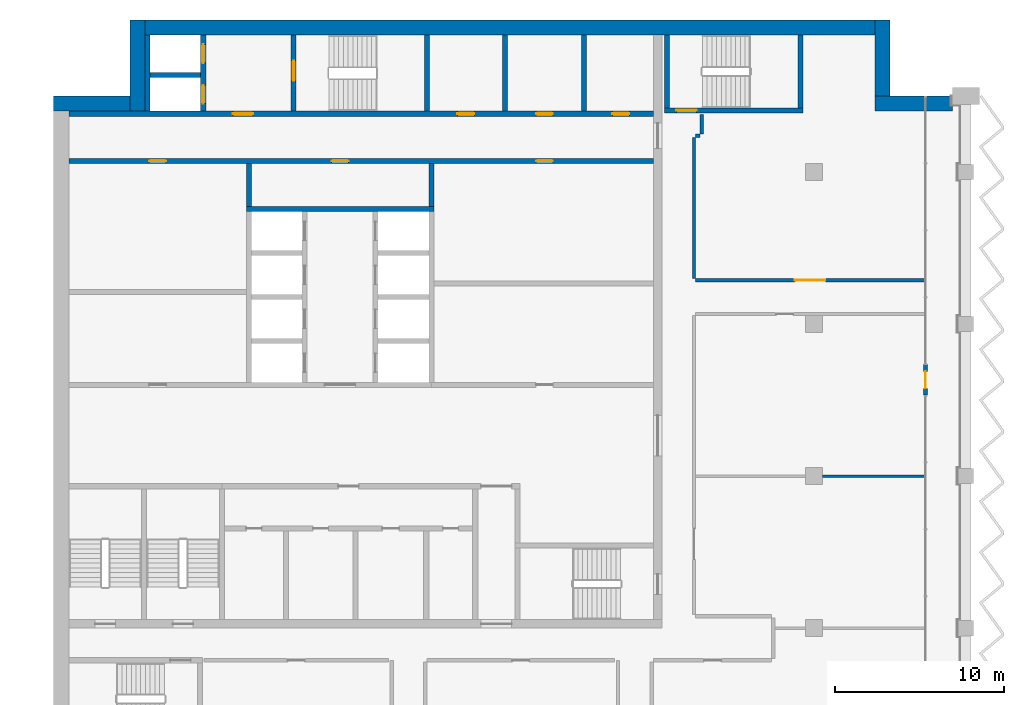
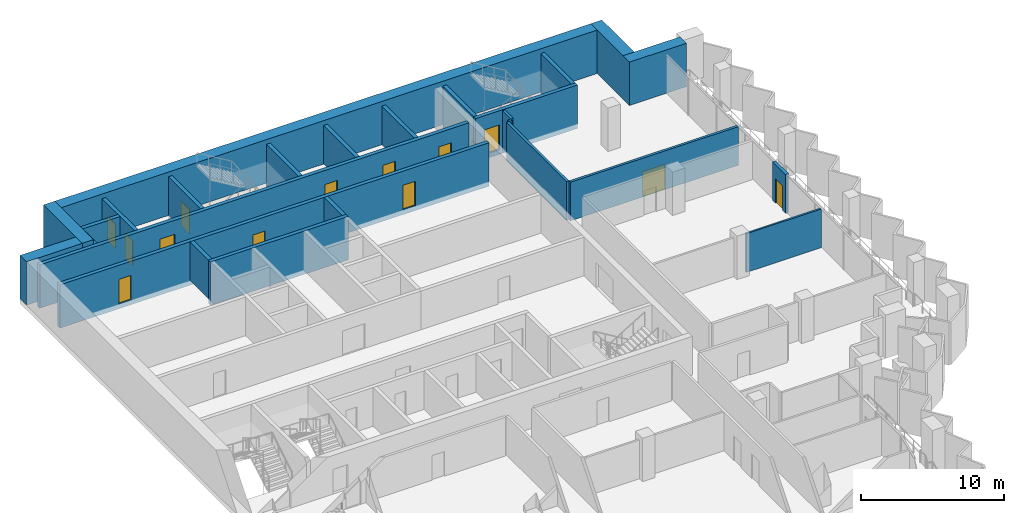
# One storey, part 10 of 16: 26 walls, 13 doors, 13 openings.
"""IFC4 building model written with IfcOpenShell, lengths in metres."""

from ifc_helpers import new_model, si_unit, direction, frame, frame_2d, origin, place, context, subcontext, project, spatial, rectangle, extrude, material, layer, layer_set, type_object, element, fill, save


model = new_model("IFC4")

# Units and contexts
model_context = context("Model", 3, precision=1e-05, world=origin(), true_north=direction((0.0, 1.0)))
body_context = subcontext(model_context, "Body", "Model", "MODEL_VIEW")
ifc_project = project(units=[si_unit("LENGTHUNIT", "METRE"), si_unit("AREAUNIT", "SQUARE_METRE"), si_unit("VOLUMEUNIT", "CUBIC_METRE"), si_unit("PLANEANGLEUNIT", "RADIAN"), si_unit("MASSUNIT", "GRAM", prefix="KILO")], contexts=[model_context])

# Site, building, storey
site_placement = place(None, origin())
site = spatial("IfcSite", under=ifc_project, at=site_placement, CompositionType="ELEMENT")
building_placement = place(site_placement, origin())
building = spatial("IfcBuilding", under=site, at=building_placement, Name="Hunhe Ridgeline Campus", CompositionType="ELEMENT")
storey_placement = place(building_placement, frame((0.0, 0.0, 254.0)))
storey = spatial("IfcBuildingStorey", under=building, at=storey_placement, Name="L65", CompositionType="ELEMENT", Elevation=254.0)

# Walls
ifc_material_1 = material(Name="Masonry concrete blockwork", Category="masonry")
ifc_layer_1 = layer(ifc_material_1, 0.300048828125)
ifc_layer_set_1 = layer_set([ifc_layer_1], Name="Core room partition 300 concrete block")
wall_type_1 = type_object("IfcWallType", Name="Core room partition 300 concrete block", PredefinedType="PARTITIONING", material=ifc_layer_set_1)
for number, where, z_axis, x_axis, name in (
    (1, (11.550048828125, 87.949951171875, 0.0), (0.0, 0.0, 1.0), (0.0, 1.0, 0.0), "L65 core partition 31"),
    (2, (22.35009765625, 87.949951171875, 0.0), (0.0, 0.0, 1.0), (0.0, 1.0, 0.0), "L65 core partition 41"),
):
    element("IfcWall", number, at=place(storey_placement, frame(where, z_axis=z_axis, x_axis=x_axis)), inside=storey, type_object=wall_type_1, Name=name, PredefinedType="PARTITIONING", context=body_context, shape_type="SweptSolid", body=[
        extrude(rectangle(XDim=2.550048828125, YDim=0.300048828125, at=frame_2d((1.27490234375, 0.0))), origin(), (0.0, 0.0, 1.0), 3.300048828125),
    ])
for number, where, z_axis, x_axis, name in (
    (3, (26.699951171875, 93.60009765625, 0.0), (0.0, 0.0, 1.0), (0.0, 1.0, 0.0), "L65 core partition 44"),
    (4, (31.39990234375, 93.60009765625, 0.0), (0.0, 0.0, 1.0), (0.0, 1.0, 0.0), "L65 core partition 47"),
):
    element("IfcWall", number, at=place(storey_placement, frame(where, z_axis=z_axis, x_axis=x_axis)), inside=storey, type_object=wall_type_1, Name=name, PredefinedType="PARTITIONING", context=body_context, shape_type="SweptSolid", body=[
        extrude(rectangle(XDim=4.5, YDim=0.300048828125, at=frame_2d((2.25, 0.0))), origin(), (0.0, 0.0, 1.0), 3.300048828125),
    ])

# Wall, opening, door
ifc_material_2 = material(Name="Gypsum board partition")
ifc_layer_2 = layer(ifc_material_2, 0.199951171875)
ifc_layer_set_2 = layer_set([ifc_layer_2], Name="Corridor partition 200 gypsum board on steel studs")
wall_type_2 = type_object("IfcWallType", Name="Corridor partition 200 gypsum board on steel studs", PredefinedType="PARTITIONING", material=ifc_layer_set_2)
wall_1_placement = place(storey_placement, frame((38.0, 83.60009765625, 0.0), z_axis=(0.0, 0.0, 1.0), x_axis=(1.0, 0.0, 0.0)))
wall_1 = element("IfcWall", 5, at=wall_1_placement, inside=storey, type_object=wall_type_2, Name="F-L65-wall-030", PredefinedType="PARTITIONING", context=body_context, shape_type="SweptSolid", body=[
    extrude(rectangle(XDim=13.544921875, YDim=0.199951171875, at=frame_2d((6.7724609375, 0.0))), origin(), (0.0, 0.0, 1.0), 3.300048828125),
])
opening_1_placement = place(wall_1_placement, frame((5.87255859375, 0.0, 0.0)))
opening_1 = element("IfcOpeningElement", 6, at=opening_1_placement, cuts=wall_1, Name="Opening RD2-020", PredefinedType="OPENING", context=body_context, shape_type="SweptSolid", body=[
    extrude(rectangle(XDim=1.800048828125, YDim=2.10009765625, at=frame_2d((0.89990234375, 1.050048828125))), frame((0.0, 0.10009765625, 0.0), z_axis=(0.0, -1.0, 0.0), x_axis=(1.0, 0.0, 0.0)), (0.0, 0.0, 1.0), 0.199951171875),
])
ifc_material_3 = material(Name="Timber door leaf", Category="wood")
door_type_1 = type_object("IfcDoorType", Name="Double fire door 1800x2100 timber FD60", OperationType="DOUBLE_DOOR_SINGLE_SWING", PredefinedType="DOOR", material=ifc_material_3)
door_1_placement = place(opening_1_placement, origin())
door_1 = element("IfcDoor", 7, at=door_1_placement, inside=storey, type_object=door_type_1, Name="F-L65-door-020", OperationType="DOUBLE_DOOR_SINGLE_SWING", OverallHeight=2.10009765625, OverallWidth=1.800048828125, PredefinedType="DOOR", context=body_context, shape_type="SweptSolid", body=[
    extrude(rectangle(XDim=1.800048828125, YDim=2.10009765625, at=frame_2d((0.89990234375, 1.050048828125))), frame((0.0, 0.02490234375, 0.0), z_axis=(0.0, -1.0, 0.0), x_axis=(1.0, 0.0, 0.0)), (0.0, 0.0, 1.0), 0.050048828125),
])
fill(opening_1, door_1)

# Walls
wall_2_placement = place(storey_placement, frame((38.25, 92.14990234375, 0.0), z_axis=(0.0, 0.0, 1.0), x_axis=(-1.0, 0.0, 0.0)))
element("IfcWall", 8, at=wall_2_placement, inside=storey, type_object=wall_type_2, Name="F-L65-wall-031", PredefinedType="PARTITIONING", context=body_context, shape_type="SweptSolid", body=[
    extrude(rectangle(XDim=0.25, YDim=0.199951171875, at=frame_2d((0.125, 0.0))), origin(), (0.0, 0.0, 1.0), 3.300048828125),
])
wall_3_placement = place(storey_placement, frame((37.89990234375, 92.050048828125, 0.0), z_axis=(0.0, 0.0, 1.0), x_axis=(0.0, -1.0, 0.0)))
element("IfcWall", 9, at=wall_3_placement, inside=storey, type_object=wall_type_2, Name="F-L65-wall-040", PredefinedType="PARTITIONING", context=body_context, shape_type="SweptSolid", body=[
    extrude(rectangle(XDim=8.35009765625, YDim=0.199951171875, at=frame_2d((4.175048828125, 0.0))), origin(), (0.0, 0.0, 1.0), 3.300048828125),
])
wall_4_placement = place(storey_placement, frame((38.35009765625, 93.39599609375, 0.0), z_axis=(0.0, 0.0, 1.0), x_axis=(0.0, -1.0, 0.0)))
element("IfcWall", 10, at=wall_4_placement, inside=storey, type_object=wall_type_2, Name="F-L65-wall-041", PredefinedType="PARTITIONING", context=body_context, shape_type="SweptSolid", body=[
    extrude(rectangle(XDim=1.14599609375, YDim=0.199951171875, at=frame_2d((0.572998046875, 0.0))), origin(), (0.0, 0.0, 1.0), 3.300048828125),
])

# Wall, openings, doors
ifc_material_4 = material(Name="Concrete C50", Category="concrete")
ifc_layer_3 = layer(ifc_material_4, 0.300048828125)
ifc_layer_set_3 = layer_set([ifc_layer_3], Name="Lobby wall 300 reinforced concrete C50")
wall_type_3 = type_object("IfcWallType", Name="Lobby wall 300 reinforced concrete C50", PredefinedType="SOLIDWALL", material=ifc_layer_set_3)
wall_5_placement = place(storey_placement, frame((0.89990234375, 90.64990234375, -0.39990234375), z_axis=(0.0, 0.0, 1.0), x_axis=(1.0, 0.0, 0.0)))
wall_5 = element("IfcWall", 11, at=wall_5_placement, inside=storey, type_object=wall_type_3, Name="L65 core wall 21", PredefinedType="SOLIDWALL", context=body_context, shape_type="SweptSolid", body=[
    extrude(rectangle(XDim=34.60009765625, YDim=0.300048828125, at=frame_2d((17.300048828125, 0.0))), origin(), (0.0, 0.0, 1.0), 3.699951171875),
])
opening_2_placement = place(wall_5_placement, frame((15.550048828125, 0.0, 0.39990234375)))
opening_2 = element("IfcOpeningElement", 12, at=opening_2_placement, cuts=wall_5, Name="Opening CD26", PredefinedType="OPENING", context=body_context, shape_type="SweptSolid", body=[
    extrude(rectangle(XDim=1.0, YDim=2.10009765625, at=frame_2d((0.5, 1.050048828125))), frame((0.0, 0.14990234375, 0.0), z_axis=(0.0, -1.0, 0.0), x_axis=(1.0, 0.0, 0.0)), (0.0, 0.0, 1.0), 0.300048828125),
])
opening_3_placement = place(wall_5_placement, frame((4.75, 0.0, 0.39990234375)))
opening_3 = element("IfcOpeningElement", 13, at=opening_3_placement, cuts=wall_5, Name="Opening CD40", PredefinedType="OPENING", context=body_context, shape_type="SweptSolid", body=[
    extrude(rectangle(XDim=1.0, YDim=2.10009765625, at=frame_2d((0.5, 1.050048828125))), frame((0.0, 0.14990234375, 0.0), z_axis=(0.0, -1.0, 0.0), x_axis=(1.0, 0.0, 0.0)), (0.0, 0.0, 1.0), 0.300048828125),
])
opening_4_placement = place(wall_5_placement, frame((27.64990234375, 0.0, 0.39990234375)))
opening_4 = element("IfcOpeningElement", 14, at=opening_4_placement, cuts=wall_5, Name="Opening CD33", PredefinedType="OPENING", context=body_context, shape_type="SweptSolid", body=[
    extrude(rectangle(XDim=1.0, YDim=2.10009765625, at=frame_2d((0.5, 1.050048828125))), frame((0.0, 0.14990234375, 0.0), z_axis=(0.0, -1.0, 0.0), x_axis=(1.0, 0.0, 0.0)), (0.0, 0.0, 1.0), 0.300048828125),
])
ifc_material_5 = material(Name="Solid core timber door leaf", Category="wood")
door_type_2 = type_object("IfcDoorType", Name="Timber door 1000x2100", OperationType="SINGLE_SWING_LEFT", PredefinedType="DOOR", material=ifc_material_5)
door_2_placement = place(opening_2_placement, frame((1.0, 0.0, 0.0), z_axis=(0.0, 0.0, 1.0), x_axis=(-1.0, 0.0, 0.0)))
door_2 = element("IfcDoor", 15, at=door_2_placement, inside=storey, type_object=door_type_2, Name="L65 door NR-0", OperationType="SINGLE_SWING_RIGHT", OverallHeight=2.10009765625, OverallWidth=1.0, PredefinedType="DOOR", context=body_context, shape_type="SweptSolid", body=[
    extrude(rectangle(XDim=1.0, YDim=2.10009765625, at=frame_2d((0.5, 1.050048828125))), frame((0.0, 0.02490234375, 0.0), z_axis=(0.0, -1.0, 0.0), x_axis=(1.0, 0.0, 0.0)), (0.0, 0.0, 1.0), 0.050048828125),
])
fill(opening_2, door_2)
door_3_placement = place(opening_3_placement, frame((1.0, 0.0, 0.0), z_axis=(0.0, 0.0, 1.0), x_axis=(-1.0, 0.0, 0.0)))
door_3 = element("IfcDoor", 16, at=door_3_placement, inside=storey, type_object=door_type_2, Name="L65 door VD-LR1", OperationType="SINGLE_SWING_RIGHT", OverallHeight=2.10009765625, OverallWidth=1.0, PredefinedType="DOOR", context=body_context, shape_type="SweptSolid", body=[
    extrude(rectangle(XDim=1.0, YDim=2.10009765625, at=frame_2d((0.5, 1.050048828125))), frame((0.0, 0.02490234375, 0.0), z_axis=(0.0, -1.0, 0.0), x_axis=(1.0, 0.0, 0.0)), (0.0, 0.0, 1.0), 0.050048828125),
])
fill(opening_3, door_3)
door_4_placement = place(opening_4_placement, frame((1.0, 0.0, 0.0), z_axis=(0.0, 0.0, 1.0), x_axis=(-1.0, 0.0, 0.0)))
door_4 = element("IfcDoor", 17, at=door_4_placement, inside=storey, type_object=door_type_2, Name="L65 door ES1", OperationType="SINGLE_SWING_LEFT", OverallHeight=2.10009765625, OverallWidth=1.0, PredefinedType="DOOR", context=body_context, shape_type="SweptSolid", body=[
    extrude(rectangle(XDim=1.0, YDim=2.10009765625, at=frame_2d((0.5, 1.050048828125))), frame((0.0, 0.02490234375, 0.0), z_axis=(0.0, -1.0, 0.0), x_axis=(1.0, 0.0, 0.0)), (0.0, 0.0, 1.0), 0.050048828125),
])
fill(opening_4, door_4)

# Wall, opening, door
ifc_material_6 = material(Name="Concrete C30", Category="concrete")
ifc_layer_4 = layer(ifc_material_6, 0.25)
ifc_layer_set_4 = layer_set([ifc_layer_4], Name="Loggia door pier wall 250 Concrete C30")
wall_type_4 = type_object("IfcWallType", Name="Loggia door pier wall 250 Concrete C30", PredefinedType="SOLIDWALL", material=ifc_layer_set_4)
wall_6_placement = place(storey_placement, frame((51.59912109375, 76.800537109375, 0.0), z_axis=(0.0, 0.0, 1.0), x_axis=(0.0, 1.0, 0.0)))
wall_6 = element("IfcWall", 18, at=wall_6_placement, inside=storey, type_object=wall_type_4, Name="Loggia door pier 4", PredefinedType="SOLIDWALL", context=body_context, shape_type="SweptSolid", body=[
    extrude(rectangle(XDim=1.800048828125, YDim=0.25, at=frame_2d((0.89990234375, 0.0))), origin(), (0.0, 0.0, 1.0), 3.300048828125),
])
opening_5_placement = place(wall_6_placement, frame((0.39990234375, 0.0, 0.0)))
opening_5 = element("IfcOpeningElement", 19, at=opening_5_placement, cuts=wall_6, Name="Opening BD506", PredefinedType="OPENING", context=body_context, shape_type="SweptSolid", body=[
    extrude(rectangle(XDim=1.0, YDim=2.10009765625, at=frame_2d((0.5, 1.050048828125))), frame((0.0, 0.125, 0.0), z_axis=(0.0, -1.0, 0.0), x_axis=(1.0, 0.0, 0.0)), (0.0, 0.0, 1.0), 0.25),
])
ifc_material_7 = material(Name="Aluminium 6063", Category="aluminium")
door_type_3 = type_object("IfcDoorType", Name="Loggia glazed door 1000x2100", OperationType="NOTDEFINED", PredefinedType="DOOR", material=ifc_material_7)
door_5_placement = place(opening_5_placement, frame((1.0, 0.0, 0.0), z_axis=(0.0, 0.0, 1.0), x_axis=(-1.0, 0.0, 0.0)))
door_5 = element("IfcDoor", 20, at=door_5_placement, inside=storey, type_object=door_type_3, Name="Loggia door BD506", OperationType="SINGLE_SWING_LEFT", OverallHeight=2.10009765625, OverallWidth=1.0, PredefinedType="DOOR", context=body_context, shape_type="SweptSolid", body=[
    extrude(rectangle(XDim=1.0, YDim=2.10009765625, at=frame_2d((0.5, 1.050048828125))), frame((0.0, 0.02490234375, 0.0), z_axis=(0.0, -1.0, 0.0), x_axis=(1.0, 0.0, 0.0)), (0.0, 0.0, 1.0), 0.050048828125),
])
fill(opening_5, door_5)

# Walls
ifc_layer_5 = layer(ifc_material_2, 0.14990234375)
ifc_layer_set_5 = layer_set([ifc_layer_5], Name="Room partition 150 gypsum board on steel studs")
wall_type_5 = type_object("IfcWallType", Name="Room partition 150 gypsum board on steel studs", PredefinedType="PARTITIONING", material=ifc_layer_set_5)
wall_7_placement = place(storey_placement, frame((45.5, 72.0, 0.0), z_axis=(0.0, 0.0, 1.0), x_axis=(1.0, 0.0, 0.0)))
element("IfcWall", 21, at=wall_7_placement, inside=storey, type_object=wall_type_5, Name="F-L65-wall-028", PredefinedType="PARTITIONING", context=body_context, shape_type="SweptSolid", body=[
    extrude(rectangle(XDim=6.044921875, YDim=0.14990234375, at=frame_2d((3.0224609375, 0.0))), origin(), (0.0, 0.0, 1.0), 3.300048828125),
])
ifc_layer_6 = layer(ifc_material_4, 0.300048828125)
ifc_layer_set_6 = layer_set([ifc_layer_6], Name="Shaft wall 300 reinforced concrete C50")
wall_type_6 = type_object("IfcWallType", Name="Shaft wall 300 reinforced concrete C50", PredefinedType="SOLIDWALL", material=ifc_layer_set_6)
wall_8_placement = place(storey_placement, frame((11.39990234375, 87.800048828125, -0.39990234375), z_axis=(0.0, 0.0, 1.0), x_axis=(1.0, 0.0, 0.0)))
element("IfcWall", 22, at=wall_8_placement, inside=storey, type_object=wall_type_6, Name="L65 core wall 20", PredefinedType="SOLIDWALL", context=body_context, shape_type="SweptSolid", body=[
    extrude(rectangle(XDim=11.10009765625, YDim=0.300048828125, at=frame_2d((5.550048828125, 0.0))), origin(), (0.0, 0.0, 1.0), 3.699951171875),
])

# Wall, openings, doors
wall_9_placement = place(storey_placement, frame((0.89990234375, 93.449951171875, -0.39990234375), z_axis=(0.0, 0.0, 1.0), x_axis=(1.0, 0.0, 0.0)))
wall_9 = element("IfcWall", 23, at=wall_9_placement, inside=storey, type_object=wall_type_6, Name="L65 core wall 22", PredefinedType="SOLIDWALL", context=body_context, shape_type="SweptSolid", body=[
    extrude(rectangle(XDim=34.60009765625, YDim=0.300048828125, at=frame_2d((17.300048828125, 0.0))), origin(), (0.0, 0.0, 1.0), 3.699951171875),
])
opening_6_placement = place(wall_9_placement, frame((9.699951171875, 0.0, 0.39990234375)))
opening_6 = element("IfcOpeningElement", 24, at=opening_6_placement, cuts=wall_9, Name="Opening CD3", PredefinedType="OPENING", context=body_context, shape_type="SweptSolid", body=[
    extrude(rectangle(XDim=1.199951171875, YDim=2.10009765625, at=frame_2d((0.60009765625, 1.050048828125))), frame((0.0, 0.14990234375, 0.0), z_axis=(0.0, -1.0, 0.0), x_axis=(1.0, 0.0, 0.0)), (0.0, 0.0, 1.0), 0.300048828125),
])
opening_7_placement = place(wall_9_placement, frame((23.0, 0.0, 0.39990234375)))
opening_7 = element("IfcOpeningElement", 25, at=opening_7_placement, cuts=wall_9, Name="Opening CD34", PredefinedType="OPENING", context=body_context, shape_type="SweptSolid", body=[
    extrude(rectangle(XDim=1.0, YDim=2.10009765625, at=frame_2d((0.5, 1.050048828125))), frame((0.0, 0.14990234375, 0.0), z_axis=(0.0, -1.0, 0.0), x_axis=(1.0, 0.0, 0.0)), (0.0, 0.0, 1.0), 0.300048828125),
])
opening_8_placement = place(wall_9_placement, frame((27.64990234375, 0.0, 0.39990234375)))
opening_8 = element("IfcOpeningElement", 26, at=opening_8_placement, cuts=wall_9, Name="Opening CD35", PredefinedType="OPENING", context=body_context, shape_type="SweptSolid", body=[
    extrude(rectangle(XDim=1.0, YDim=2.10009765625, at=frame_2d((0.5, 1.050048828125))), frame((0.0, 0.14990234375, 0.0), z_axis=(0.0, -1.0, 0.0), x_axis=(1.0, 0.0, 0.0)), (0.0, 0.0, 1.0), 0.300048828125),
])
opening_9_placement = place(wall_9_placement, frame((32.175048828125, 0.0, 0.39990234375)))
opening_9 = element("IfcOpeningElement", 27, at=opening_9_placement, cuts=wall_9, Name="Opening CD36", PredefinedType="OPENING", context=body_context, shape_type="SweptSolid", body=[
    extrude(rectangle(XDim=1.0, YDim=2.10009765625, at=frame_2d((0.5, 1.050048828125))), frame((0.0, 0.14990234375, 0.0), z_axis=(0.0, -1.0, 0.0), x_axis=(1.0, 0.0, 0.0)), (0.0, 0.0, 1.0), 0.300048828125),
])
ifc_material_8 = material(Name="Hollow metal fire door leaf")
door_type_4 = type_object("IfcDoorType", Name="Lobby door 1200x2100 FD60", OperationType="SINGLE_SWING_LEFT", PredefinedType="DOOR", material=ifc_material_8)
door_6_placement = place(opening_6_placement, frame((1.199951171875, 0.0, 0.0), z_axis=(0.0, 0.0, 1.0), x_axis=(-1.0, 0.0, 0.0)))
door_6 = element("IfcDoor", 28, at=door_6_placement, inside=storey, type_object=door_type_4, Name="L65 door FF-C1", OperationType="SINGLE_SWING_RIGHT", OverallHeight=2.10009765625, OverallWidth=1.199951171875, PredefinedType="DOOR", context=body_context, shape_type="SweptSolid", body=[
    extrude(rectangle(XDim=1.199951171875, YDim=2.10009765625, at=frame_2d((0.60009765625, 1.050048828125))), frame((0.0, 0.02490234375, 0.0), z_axis=(0.0, -1.0, 0.0), x_axis=(1.0, 0.0, 0.0)), (0.0, 0.0, 1.0), 0.050048828125),
])
fill(opening_6, door_6)
door_7_placement = place(opening_7_placement, origin())
door_7 = element("IfcDoor", 29, at=door_7_placement, inside=storey, type_object=door_type_2, Name="L65 door NB0", OperationType="SINGLE_SWING_LEFT", OverallHeight=2.10009765625, OverallWidth=1.0, PredefinedType="DOOR", context=body_context, shape_type="SweptSolid", body=[
    extrude(rectangle(XDim=1.0, YDim=2.10009765625, at=frame_2d((0.5, 1.050048828125))), frame((0.0, 0.02490234375, 0.0), z_axis=(0.0, -1.0, 0.0), x_axis=(1.0, 0.0, 0.0)), (0.0, 0.0, 1.0), 0.050048828125),
])
fill(opening_7, door_7)
door_8_placement = place(opening_8_placement, origin())
door_8 = element("IfcDoor", 30, at=door_8_placement, inside=storey, type_object=door_type_2, Name="L65 door NB1", OperationType="SINGLE_SWING_RIGHT", OverallHeight=2.10009765625, OverallWidth=1.0, PredefinedType="DOOR", context=body_context, shape_type="SweptSolid", body=[
    extrude(rectangle(XDim=1.0, YDim=2.10009765625, at=frame_2d((0.5, 1.050048828125))), frame((0.0, 0.02490234375, 0.0), z_axis=(0.0, -1.0, 0.0), x_axis=(1.0, 0.0, 0.0)), (0.0, 0.0, 1.0), 0.050048828125),
])
fill(opening_8, door_8)
door_9_placement = place(opening_9_placement, origin())
door_9 = element("IfcDoor", 31, at=door_9_placement, inside=storey, type_object=door_type_2, Name="L65 door NB2", OperationType="SINGLE_SWING_LEFT", OverallHeight=2.10009765625, OverallWidth=1.0, PredefinedType="DOOR", context=body_context, shape_type="SweptSolid", body=[
    extrude(rectangle(XDim=1.0, YDim=2.10009765625, at=frame_2d((0.5, 1.050048828125))), frame((0.0, 0.02490234375, 0.0), z_axis=(0.0, -1.0, 0.0), x_axis=(1.0, 0.0, 0.0)), (0.0, 0.0, 1.0), 0.050048828125),
])
fill(opening_9, door_9)

# Walls
wall_10_placement = place(storey_placement, frame((5.699951171875, 95.75, -0.39990234375), z_axis=(0.0, 0.0, 1.0), x_axis=(1.0, 0.0, 0.0)))
element("IfcWall", 32, at=wall_10_placement, inside=storey, type_object=wall_type_6, Name="L65 core wall 24", PredefinedType="SOLIDWALL", context=body_context, shape_type="SweptSolid", body=[
    extrude(rectangle(XDim=3.0, YDim=0.300048828125, at=frame_2d((1.5, 0.0))), origin(), (0.0, 0.0, 1.0), 3.699951171875),
])
wall_11_placement = place(storey_placement, frame((5.550048828125, 93.60009765625, -0.39990234375), z_axis=(0.0, 0.0, 1.0), x_axis=(0.0, 1.0, 0.0)))
element("IfcWall", 33, at=wall_11_placement, inside=storey, type_object=wall_type_6, Name="L65 core wall 26", PredefinedType="SOLIDWALL", context=body_context, shape_type="SweptSolid", body=[
    extrude(rectangle(XDim=4.5, YDim=0.300048828125, at=frame_2d((2.25, 0.0))), origin(), (0.0, 0.0, 1.0), 3.699951171875),
])

# Wall, openings, doors
wall_12_placement = place(storey_placement, frame((8.85009765625, 93.60009765625, -0.39990234375), z_axis=(0.0, 0.0, 1.0), x_axis=(0.0, 1.0, 0.0)))
wall_12 = element("IfcWall", 34, at=wall_12_placement, inside=storey, type_object=wall_type_6, Name="L65 core wall 28", PredefinedType="SOLIDWALL", context=body_context, shape_type="SweptSolid", body=[
    extrude(rectangle(XDim=4.5, YDim=0.300048828125, at=frame_2d((2.25, 0.0))), origin(), (0.0, 0.0, 1.0), 3.699951171875),
])
opening_10_placement = place(wall_12_placement, frame((0.449951171875, 0.0, 0.39990234375)))
opening_10 = element("IfcOpeningElement", 35, at=opening_10_placement, cuts=wall_12, Name="Opening LD-FF1", PredefinedType="OPENING", context=body_context, shape_type="SweptSolid", body=[
    extrude(rectangle(XDim=1.10009765625, YDim=2.10009765625, at=frame_2d((0.550048828125, 1.050048828125))), frame((0.0, 0.14990234375, 0.0), z_axis=(0.0, -1.0, 0.0), x_axis=(1.0, 0.0, 0.0)), (0.0, 0.0, 1.0), 0.300048828125),
])
opening_11_placement = place(wall_12_placement, frame((2.85009765625, 0.0, 0.39990234375)))
opening_11 = element("IfcOpeningElement", 36, at=opening_11_placement, cuts=wall_12, Name="Opening LD-FF2", PredefinedType="OPENING", context=body_context, shape_type="SweptSolid", body=[
    extrude(rectangle(XDim=1.10009765625, YDim=2.10009765625, at=frame_2d((0.550048828125, 1.050048828125))), frame((0.0, 0.14990234375, 0.0), z_axis=(0.0, -1.0, 0.0), x_axis=(1.0, 0.0, 0.0)), (0.0, 0.0, 1.0), 0.300048828125),
])
ifc_material_9 = material(Name="Stainless steel sliding leaves", Category="steel")
door_type_5 = type_object("IfcDoorType", Name="Landing door 1100x2100 FD120", OperationType="SLIDING_TO_LEFT", PredefinedType="DOOR", material=ifc_material_9)
door_10_placement = place(opening_10_placement, origin())
door_10 = element("IfcDoor", 37, at=door_10_placement, inside=storey, type_object=door_type_5, Name="L65 landing door FF1", OperationType="SLIDING_TO_RIGHT", OverallHeight=2.10009765625, OverallWidth=1.10009765625, PredefinedType="DOOR", context=body_context, shape_type="SweptSolid", body=[
    extrude(rectangle(XDim=1.10009765625, YDim=2.10009765625, at=frame_2d((0.550048828125, 1.050048828125))), frame((0.0, 0.02490234375, 0.0), z_axis=(0.0, -1.0, 0.0), x_axis=(1.0, 0.0, 0.0)), (0.0, 0.0, 1.0), 0.050048828125),
])
fill(opening_10, door_10)
door_11_placement = place(opening_11_placement, origin())
door_11 = element("IfcDoor", 38, at=door_11_placement, inside=storey, type_object=door_type_5, Name="L65 landing door FF2", OperationType="SLIDING_TO_LEFT", OverallHeight=2.10009765625, OverallWidth=1.10009765625, PredefinedType="DOOR", context=body_context, shape_type="SweptSolid", body=[
    extrude(rectangle(XDim=1.10009765625, YDim=2.10009765625, at=frame_2d((0.550048828125, 1.050048828125))), frame((0.0, 0.02490234375, 0.0), z_axis=(0.0, -1.0, 0.0), x_axis=(1.0, 0.0, 0.0)), (0.0, 0.0, 1.0), 0.050048828125),
])
fill(opening_11, door_11)

# Walls
ifc_material_10 = material(Name="Concrete C60", Category="concrete")
ifc_layer_7 = layer(ifc_material_10, 0.89990234375)
ifc_layer_set_7 = layer_set([ifc_layer_7], Name="Spine wall 900 Concrete C60")
wall_type_7 = type_object("IfcWallType", Name="Spine wall 900 Concrete C60", PredefinedType="SHEAR", material=ifc_layer_set_7)
wall_13_placement = place(storey_placement, frame((53.199951171875, 94.050048828125, 0.0), z_axis=(0.0, 0.0, 1.0), x_axis=(-1.0, 0.0, 0.0)))
element("IfcWall", 39, at=wall_13_placement, inside=storey, type_object=wall_type_7, Name="Spine wall SW3-2 L65", PredefinedType="SHEAR", context=body_context, shape_type="SweptSolid", body=[
    extrude(rectangle(XDim=4.599853515625, YDim=0.89990234375, at=frame_2d((2.2998046875, 0.0))), origin(), (0.0, 0.0, 1.0), 3.699951171875),
])
wall_14_placement = place(storey_placement, frame((49.050048828125, 93.60009765625, 0.0), z_axis=(0.0, 0.0, 1.0), x_axis=(0.0, 1.0, 0.0)))
element("IfcWall", 40, at=wall_14_placement, inside=storey, type_object=wall_type_7, Name="Spine wall SW3-3 L65", PredefinedType="SHEAR", context=body_context, shape_type="SweptSolid", body=[
    extrude(rectangle(XDim=5.39990234375, YDim=0.89990234375, at=frame_2d((2.699951171875, 0.0))), origin(), (0.0, 0.0, 1.0), 3.699951171875),
])
wall_15_placement = place(storey_placement, frame((49.5, 98.550048828125, 0.0), z_axis=(0.0, 0.0, 1.0), x_axis=(-1.0, 0.0, 0.0)))
element("IfcWall", 41, at=wall_15_placement, inside=storey, type_object=wall_type_7, Name="Spine wall SW3-4 L65", PredefinedType="SHEAR", context=body_context, shape_type="SweptSolid", body=[
    extrude(rectangle(XDim=45.0, YDim=0.89990234375, at=frame_2d((22.5, 0.0))), origin(), (0.0, 0.0, 1.0), 3.699951171875),
])
for number, where, z_axis, x_axis, name in (
    (42, (4.949951171875, 99.0, 0.0), (0.0, 0.0, 1.0), (0.0, -1.0, 0.0), "Spine wall SW3-5 L65"),
    (43, (5.400146484375, 94.050048828125, 0.0), (0.0, 0.0, 1.0), (-1.0, 0.0, 0.0), "Spine wall SW3-6 L65"),
):
    element("IfcWall", number, at=place(storey_placement, frame(where, z_axis=z_axis, x_axis=x_axis)), inside=storey, type_object=wall_type_7, Name=name, PredefinedType="SHEAR", context=body_context, shape_type="SweptSolid", body=[
        extrude(rectangle(XDim=5.400146484375, YDim=0.89990234375, at=frame_2d((2.7001953125, 0.0))), origin(), (0.0, 0.0, 1.0), 3.699951171875),
    ])

# Wall, opening, door
ifc_layer_8 = layer(ifc_material_4, 0.300048828125)
ifc_layer_set_8 = layer_set([ifc_layer_8], Name="Stair wall 300 reinforced concrete C50")
wall_type_8 = type_object("IfcWallType", Name="Stair wall 300 reinforced concrete C50", PredefinedType="SOLIDWALL", material=ifc_layer_set_8)
wall_16_placement = place(storey_placement, frame((36.14990234375, 93.64990234375, -0.39990234375), z_axis=(0.0, 0.0, 1.0), x_axis=(1.0, 0.0, 0.0)))
wall_16 = element("IfcWall", 44, at=wall_16_placement, inside=storey, type_object=wall_type_8, Name="L65 core wall 23", PredefinedType="SOLIDWALL", context=body_context, shape_type="SweptSolid", body=[
    extrude(rectangle(XDim=8.2001953125, YDim=0.300048828125, at=frame_2d((4.10009765625, 0.0))), origin(), (0.0, 0.0, 1.0), 3.699951171875),
])
opening_12_placement = place(wall_16_placement, frame((0.699951171875, 0.0, 0.39990234375)))
opening_12 = element("IfcOpeningElement", 45, at=opening_12_placement, cuts=wall_16, Name="Opening CD17", PredefinedType="OPENING", context=body_context, shape_type="SweptSolid", body=[
    extrude(rectangle(XDim=1.199951171875, YDim=2.10009765625, at=frame_2d((0.60009765625, 1.050048828125))), frame((0.0, 0.14990234375, 0.0), z_axis=(0.0, -1.0, 0.0), x_axis=(1.0, 0.0, 0.0)), (0.0, 0.0, 1.0), 0.300048828125),
])
door_type_6 = type_object("IfcDoorType", Name="Stair door 1200x2100 FD60", OperationType="SINGLE_SWING_LEFT", PredefinedType="DOOR", material=ifc_material_8)
door_12_placement = place(opening_12_placement, frame((1.199951171875, 0.0, 0.0), z_axis=(0.0, 0.0, 1.0), x_axis=(-1.0, 0.0, 0.0)))
door_12 = element("IfcDoor", 46, at=door_12_placement, inside=storey, type_object=door_type_6, Name="L65 door E1", OperationType="SINGLE_SWING_LEFT", OverallHeight=2.10009765625, OverallWidth=1.199951171875, PredefinedType="DOOR", context=body_context, shape_type="SweptSolid", body=[
    extrude(rectangle(XDim=1.199951171875, YDim=2.10009765625, at=frame_2d((0.60009765625, 1.050048828125))), frame((0.0, 0.02490234375, 0.0), z_axis=(0.0, -1.0, 0.0), x_axis=(1.0, 0.0, 0.0)), (0.0, 0.0, 1.0), 0.050048828125),
])
fill(opening_12, door_12)

wall_17_placement = place(storey_placement, frame((14.199951171875, 93.60009765625, -0.39990234375), z_axis=(0.0, 0.0, 1.0), x_axis=(0.0, 1.0, 0.0)))
wall_17 = element("IfcWall", 47, at=wall_17_placement, inside=storey, type_object=wall_type_8, Name="L65 core wall 33", PredefinedType="SOLIDWALL", context=body_context, shape_type="SweptSolid", body=[
    extrude(rectangle(XDim=4.5, YDim=0.300048828125, at=frame_2d((2.25, 0.0))), origin(), (0.0, 0.0, 1.0), 3.699951171875),
])
opening_13_placement = place(wall_17_placement, frame((1.800048828125, 0.0, 0.39990234375)))
opening_13 = element("IfcOpeningElement", 48, at=opening_13_placement, cuts=wall_17, Name="Opening CD16", PredefinedType="OPENING", context=body_context, shape_type="SweptSolid", body=[
    extrude(rectangle(XDim=1.199951171875, YDim=2.10009765625, at=frame_2d((0.60009765625, 1.050048828125))), frame((0.0, 0.14990234375, 0.0), z_axis=(0.0, -1.0, 0.0), x_axis=(1.0, 0.0, 0.0)), (0.0, 0.0, 1.0), 0.300048828125),
])
door_13_placement = place(opening_13_placement, origin())
door_13 = element("IfcDoor", 49, at=door_13_placement, inside=storey, type_object=door_type_6, Name="L65 door S1-FF", OperationType="SINGLE_SWING_RIGHT", OverallHeight=2.10009765625, OverallWidth=1.199951171875, PredefinedType="DOOR", context=body_context, shape_type="SweptSolid", body=[
    extrude(rectangle(XDim=1.199951171875, YDim=2.10009765625, at=frame_2d((0.60009765625, 1.050048828125))), frame((0.0, 0.02490234375, 0.0), z_axis=(0.0, -1.0, 0.0), x_axis=(1.0, 0.0, 0.0)), (0.0, 0.0, 1.0), 0.050048828125),
])
fill(opening_13, door_13)

# Walls
wall_18_placement = place(storey_placement, frame((22.10009765625, 93.60009765625, -0.39990234375), z_axis=(0.0, 0.0, 1.0), x_axis=(0.0, 1.0, 0.0)))
element("IfcWall", 50, at=wall_18_placement, inside=storey, type_object=wall_type_8, Name="L65 core wall 39", PredefinedType="SOLIDWALL", context=body_context, shape_type="SweptSolid", body=[
    extrude(rectangle(XDim=4.5, YDim=0.300048828125, at=frame_2d((2.25, 0.0))), origin(), (0.0, 0.0, 1.0), 3.699951171875),
])
for number, where, z_axis, x_axis, name in (
    (51, (36.300048828125, 93.800048828125, -0.39990234375), (0.0, 0.0, 1.0), (0.0, 1.0, 0.0), "L65 core wall 49"),
    (52, (44.199951171875, 93.800048828125, -0.39990234375), (0.0, 0.0, 1.0), (0.0, 1.0, 0.0), "L65 core wall 50"),
):
    element("IfcWall", number, at=place(storey_placement, frame(where, z_axis=z_axis, x_axis=x_axis)), inside=storey, type_object=wall_type_8, Name=name, PredefinedType="SOLIDWALL", context=body_context, shape_type="SweptSolid", body=[
        extrude(rectangle(XDim=4.300048828125, YDim=0.300048828125, at=frame_2d((2.14990234375, 0.0))), origin(), (0.0, 0.0, 1.0), 3.699951171875),
    ])

save(model, "model.ifc")
